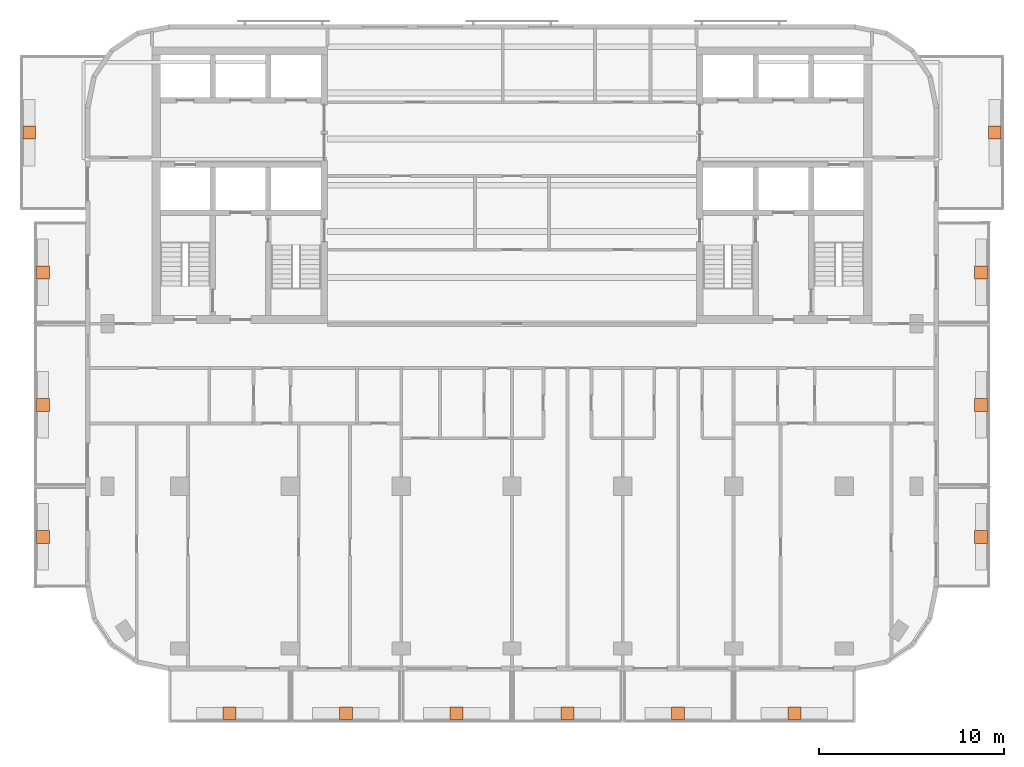
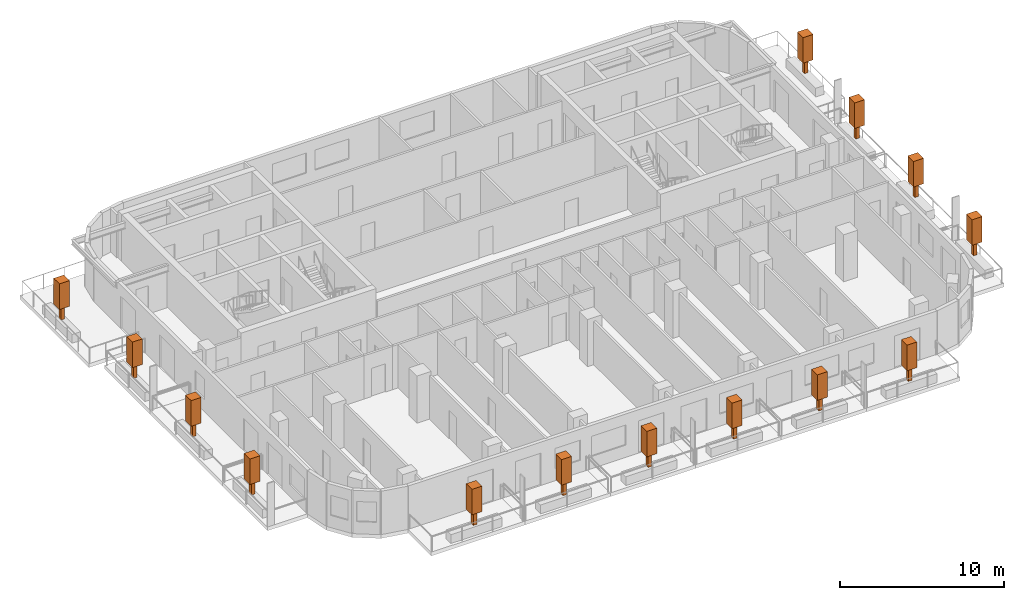
# One storey, part 11 of 11: 14 geographic elements.
"""IFC4 building model written with IfcOpenShell, lengths in metres."""

import ifcopenshell
import ifcopenshell.guid

model = None  # the IFC model being written
_history = None  # IfcOwnerHistory: only IFC2X3 demands one
_inside = {}  # id of a spatial element -> (the spatial element, [elements in it])
_under = {}  # id of a project, library or spatial element -> (it, [spatial elements below it])
_declared = {}  # id of a project -> (the project, [libraries it declares])
_typed = {}  # id of a type object -> (the type object, [elements of that type])
_made_of = {}  # id of a material, layer set ... -> (it, [elements and type objects made of it])


def new_model(schema):
    """Start an empty IFC model of exactly this schema.

    Asked for "IFC4X3", IfcOpenShell would pick the latest addendum, in which some entities
    have other attributes; the version numbers below select the first issue.
    IFC2X3 requires an IfcOwnerHistory on every rooted entity: one is made here for all.
    """
    global model, _history
    if schema == "IFC4X3":
        model = ifcopenshell.file(schema_version=(4, 3, 0, 0))
    else:
        model = ifcopenshell.file(schema=schema)
    _inside.clear()
    _under.clear()
    _declared.clear()
    _typed.clear()
    _made_of.clear()
    _history = None
    if model.schema == "IFC2X3":
        org = make("IfcOrganization", Name="unknown")
        user = make(
            "IfcPersonAndOrganization",
            ThePerson=make("IfcPerson", FamilyName="unknown"),
            TheOrganization=org,
        )
        app = make(
            "IfcApplication",
            ApplicationDeveloper=org,
            Version="unknown",
            ApplicationFullName="unknown",
            ApplicationIdentifier="unknown",
        )
        _history = make(
            "IfcOwnerHistory",
            OwningUser=user,
            OwningApplication=app,
            ChangeAction="ADDED",
            CreationDate=0,
        )
    return model


def make(cls, **values):
    """One entity of the class cls with the attributes given. An attribute that is None is left unset."""
    return model.create_entity(
        cls, **{name: value for name, value in values.items() if value is not None}
    )


def rooted(cls, **values):
    """An entity with a GlobalId (a new one), such as an element, a storey or a relation."""
    return make(cls, GlobalId=ifcopenshell.guid.new(), OwnerHistory=_history, **values)


def si_unit(unit_type, name, prefix=None):
    """IfcSIUnit, for example si_unit("LENGTHUNIT", "METRE", prefix="MILLI")."""
    return make("IfcSIUnit", UnitType=unit_type, Prefix=prefix, Name=name)


def assignment(units):
    """IfcUnitAssignment: the units of a project."""
    return None if units is None else make("IfcUnitAssignment", Units=units)


def point(xyz):
    """IfcCartesianPoint."""
    return None if xyz is None else make("IfcCartesianPoint", Coordinates=xyz)


def direction(xyz):
    """IfcDirection."""
    return None if xyz is None else make("IfcDirection", DirectionRatios=xyz)


def frame(location, z_axis=None, x_axis=None):
    """IfcAxis2Placement3D, a coordinate frame: its origin and axes. An axis left out is left unset."""
    return make(
        "IfcAxis2Placement3D",
        Location=point(location),
        Axis=direction(z_axis),
        RefDirection=direction(x_axis),
    )


def frame_2d(location, x_axis=None):
    """IfcAxis2Placement2D, a coordinate frame in the plane: its origin and x axis."""
    return make(
        "IfcAxis2Placement2D", Location=point(location), RefDirection=direction(x_axis)
    )


def origin():
    """The frame at (0, 0, 0) with its axes left unset."""
    return frame((0.0, 0.0, 0.0))


def origin_2d():
    """The frame at (0, 0) in the plane with its x axis left unset."""
    return frame_2d((0.0, 0.0))


def place(relative_to, where):
    """IfcLocalPlacement: puts the frame where relative to a parent placement (None: the world)."""
    return make(
        "IfcLocalPlacement", PlacementRelTo=relative_to, RelativePlacement=where
    )


def context(
    kind, dimensions, precision=None, world=None, true_north=None, identifier=None
):
    """IfcGeometricRepresentationContext, for example the 3D "Model" context."""
    return make(
        "IfcGeometricRepresentationContext",
        ContextIdentifier=identifier,
        ContextType=kind,
        CoordinateSpaceDimension=dimensions,
        Precision=precision,
        WorldCoordinateSystem=world,
        TrueNorth=true_north,
    )


def subcontext(parent, identifier, kind, view, scale=None):
    """IfcGeometricRepresentationSubContext, for example "Body" below "Model"."""
    return make(
        "IfcGeometricRepresentationSubContext",
        ContextIdentifier=identifier,
        ContextType=kind,
        ParentContext=parent,
        TargetScale=scale,
        TargetView=view,
    )


def project(units=None, contexts=None):
    """IfcProject with its units and contexts."""
    return rooted(
        "IfcProject",
        Name="project",
        RepresentationContexts=contexts,
        UnitsInContext=assignment(units),
    )


def spatial(cls, under=None, at=None, **own):
    """A site, building, storey or space (cls), placed at a placement, below another one or the project."""
    s = rooted(cls, ObjectPlacement=at, **own)
    if under is not None:
        _under.setdefault(under.id(), (under, []))[1].append(s)
    return s


def profile(cls, at=None, kind="AREA", **sizes):
    """A parametric profile (cls). Its sizes go by their IFC names, for example OverallWidth=200.0."""
    return make(cls, ProfileType=kind, Position=at, **sizes)


def rectangle(**sizes):
    """IfcRectangleProfileDef."""
    return profile("IfcRectangleProfileDef", **sizes)


def extrude(swept, where, along, depth):
    """IfcExtrudedAreaSolid: the profile swept, set in the frame where, extruded along a direction by depth."""
    return make(
        "IfcExtrudedAreaSolid",
        SweptArea=swept,
        Position=where,
        ExtrudedDirection=direction(along),
        Depth=depth,
    )


def shape(context_of_items, identifier, shape_type, items):
    """IfcShapeRepresentation: the items that make up one representation, for example the "Body"."""
    return make(
        "IfcShapeRepresentation",
        ContextOfItems=context_of_items,
        RepresentationIdentifier=identifier,
        RepresentationType=shape_type,
        Items=items,
    )


def material(Name=None, Category=None):
    """IfcMaterial."""
    return make("IfcMaterial", Name=Name, Category=Category)


def made_of(thing, what):
    """Note that an element or type object is made of a material, layer set ...; save() writes the relation."""
    if what is not None:
        _made_of.setdefault(what.id(), (what, []))[1].append(thing)
    return thing


def element(
    cls,
    number,
    at=None,
    inside=None,
    cuts=None,
    type_object=None,
    material=None,
    context=None,
    identifier="Body",
    shape_type=None,
    held_by="IfcProductDefinitionShape",
    body=None,
    shapes=None,
    **own,
):
    """One element of the class cls, such as IfcWall. Its Tag is "e" and its number.

    at: its placement. inside: the storey or other place that contains it. cuts: it is an
    opening in that element (IfcRelVoidsElement). A single representation is given by context,
    identifier, shape_type and body (its items); several are given by shapes. held_by: the class
    of the entity that holds the representations. save() writes the other relations.
    """
    e = rooted(cls, Tag="e%d" % number, ObjectPlacement=at, **own)
    if body is not None:
        shapes = [shape(context, identifier, shape_type, body)]
    if shapes is not None:
        e.Representation = make(held_by, Representations=shapes)
    if inside is not None:
        _inside.setdefault(inside.id(), (inside, []))[1].append(e)
    if cuts is not None:
        rooted(
            "IfcRelVoidsElement", RelatingBuildingElement=cuts, RelatedOpeningElement=e
        )
    if type_object is not None:
        _typed.setdefault(type_object.id(), (type_object, []))[1].append(e)
    return made_of(e, material)


def aggregate(whole, parts):
    """IfcRelAggregates: a whole, such as a stair, and the parts it consists of."""
    return rooted("IfcRelAggregates", RelatingObject=whole, RelatedObjects=parts)


def save(model, path):
    """Write the relations noted so far, then the file.

    IfcRelAggregates (storeys below a building ...), IfcRelContainedInSpatialStructure (elements
    in a storey), IfcRelDefinesByType, IfcRelAssociatesMaterial and IfcRelDeclares: one each for
    every whole, place, type object, material and project.
    """
    for whole, parts in _under.values():
        aggregate(whole, parts)
    for where, things in _inside.values():
        rooted(
            "IfcRelContainedInSpatialStructure",
            RelatedElements=things,
            RelatingStructure=where,
        )
    for kind, things in _typed.values():
        rooted("IfcRelDefinesByType", RelatedObjects=things, RelatingType=kind)
    for what, things in _made_of.values():
        rooted("IfcRelAssociatesMaterial", RelatedObjects=things, RelatingMaterial=what)
    for by, libraries in _declared.values():
        rooted("IfcRelDeclares", RelatingContext=by, RelatedDefinitions=libraries)
    model.write(path)


model = new_model("IFC4")

# Units and contexts
model_context = context("Model", 3, precision=1e-05, world=origin(), true_north=direction((0.0, 1.0)))
body_context = subcontext(model_context, "Body", "Model", "MODEL_VIEW")
ifc_project = project(units=[si_unit("LENGTHUNIT", "METRE"), si_unit("AREAUNIT", "SQUARE_METRE"), si_unit("VOLUMEUNIT", "CUBIC_METRE"), si_unit("PLANEANGLEUNIT", "RADIAN"), si_unit("MASSUNIT", "GRAM", prefix="KILO")], contexts=[model_context])

# Site, building, storey
site_placement = place(None, origin())
site = spatial("IfcSite", under=ifc_project, at=site_placement, CompositionType="ELEMENT")
building_placement = place(site_placement, origin())
building = spatial("IfcBuilding", under=site, at=building_placement, Name="Torana Hotel and Residences", CompositionType="ELEMENT")
storey_placement = place(building_placement, frame((0.0, 0.0, 277.10009765625)))
storey = spatial("IfcBuildingStorey", under=building, at=storey_placement, Name="L73", CompositionType="ELEMENT", Elevation=277.10009765625)

# Geographic elements
ifc_material = material(Name="Foliage", Category="planting")
for number, where, z_axis, x_axis, name in (
    (1, (-15.300048828125, -36.10009765625, 0.64990234375), (0.0, 0.0, 1.0), (1.0, 0.0, 0.0), "Tree 01"),
    (2, (-9.0, -36.10009765625, 0.64990234375), (0.0, 0.0, 1.0), (1.0, 0.0, 0.0), "Tree 02"),
    (3, (-3.0, -36.10009765625, 0.64990234375), (0.0, 0.0, 1.0), (1.0, 0.0, 0.0), "Tree 03"),
    (4, (3.0, -36.10009765625, 0.64990234375), (0.0, 0.0, 1.0), (1.0, 0.0, 0.0), "Tree 04"),
    (5, (9.0, -36.10009765625, 0.64990234375), (0.0, 0.0, 1.0), (1.0, 0.0, 0.0), "Tree 05"),
    (6, (15.300048828125, -36.10009765625, 0.64990234375), (0.0, 0.0, 1.0), (1.0, 0.0, 0.0), "Tree 06"),
    (7, (-25.39990234375, -26.550048828125, 0.64990234375), (0.0, 0.0, 1.0), (1.0, 0.0, 0.0), "Tree 07"),
    (8, (-25.39990234375, -19.39990234375, 0.64990234375), (0.0, 0.0, 1.0), (1.0, 0.0, 0.0), "Tree 08"),
    (9, (-25.39990234375, -12.22509765625, 0.64990234375), (0.0, 0.0, 1.0), (1.0, 0.0, 0.0), "Tree 09"),
    (10, (-26.14990234375, -4.64990234375, 0.64990234375), (0.0, 0.0, 1.0), (1.0, 0.0, 0.0), "Tree 10"),
    (11, (25.39990234375, -26.550048828125, 0.64990234375), (0.0, 0.0, 1.0), (1.0, 0.0, 0.0), "Tree 11"),
    (12, (25.39990234375, -19.39990234375, 0.64990234375), (0.0, 0.0, 1.0), (1.0, 0.0, 0.0), "Tree 12"),
    (13, (25.39990234375, -12.22509765625, 0.64990234375), (0.0, 0.0, 1.0), (1.0, 0.0, 0.0), "Tree 13"),
    (14, (26.14990234375, -4.64990234375, 0.64990234375), (0.0, 0.0, 1.0), (1.0, 0.0, 0.0), "Tree 14"),
):
    element("IfcGeographicElement", number, at=place(storey_placement, frame(where, z_axis=z_axis, x_axis=x_axis)), inside=storey, material=ifc_material, Name=name, ObjectType="TREE", PredefinedType="USERDEFINED", context=body_context, shape_type="SweptSolid", body=[
        extrude(rectangle(XDim=0.25, YDim=0.25, at=origin_2d()), origin(), (0.0, 0.0, 1.0), 1.0),
        extrude(rectangle(XDim=0.699951171875, YDim=0.699951171875, at=origin_2d()), frame((0.0, 0.0, 1.0)), (0.0, 0.0, 1.0), 1.89990234375),
    ])

save(model, "model.ifc")
